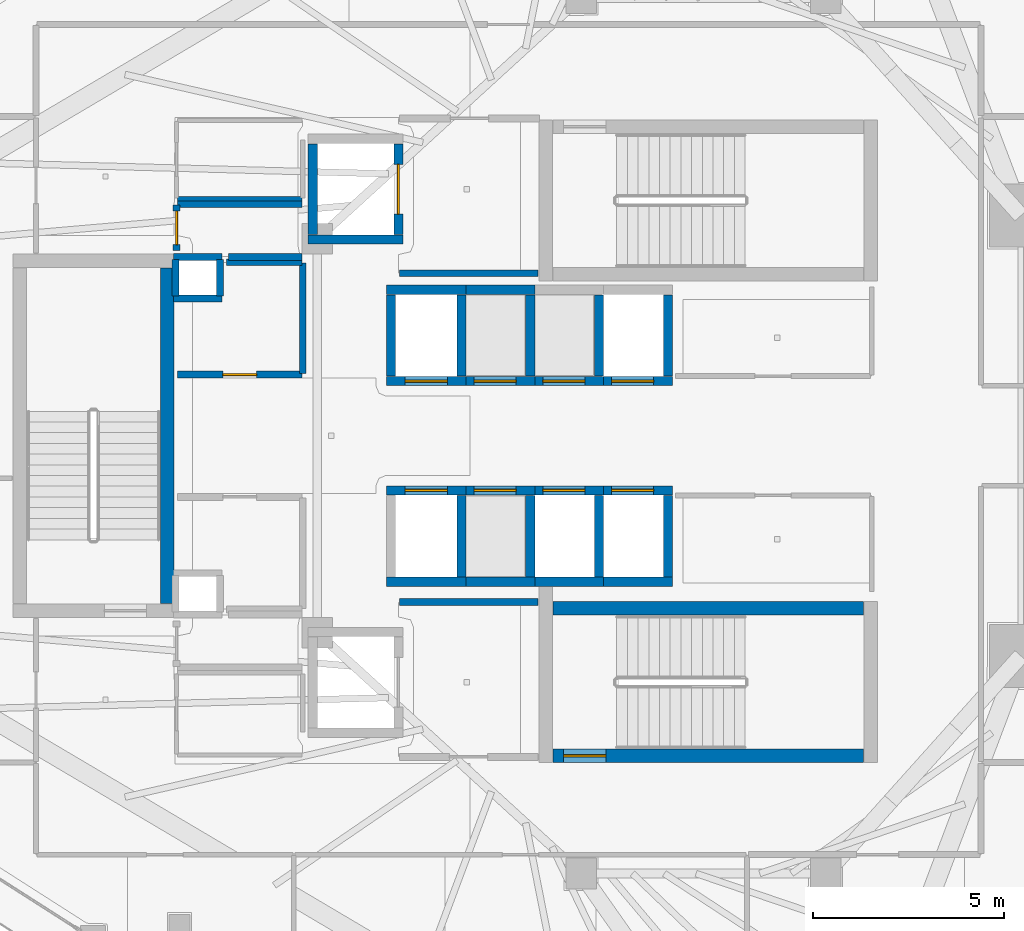
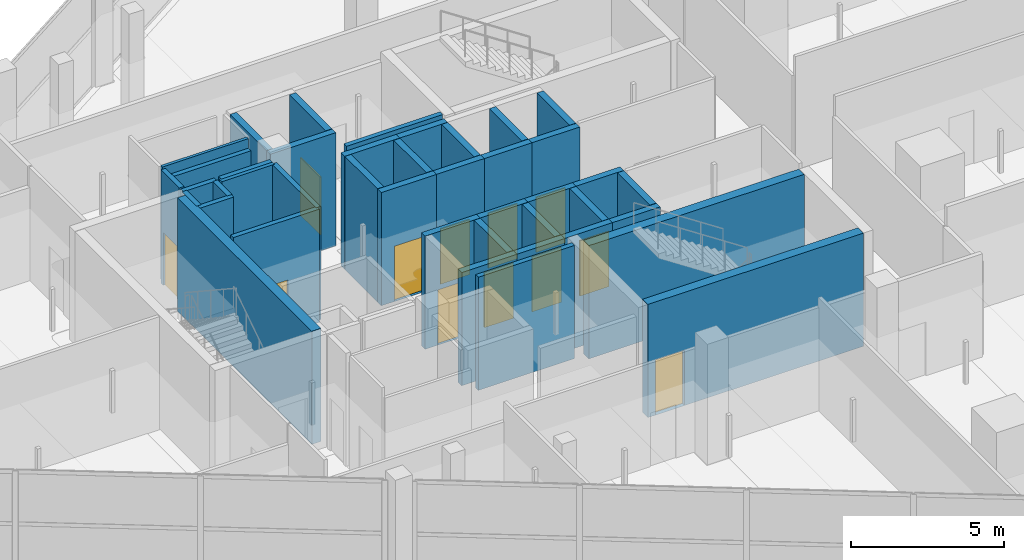
# One storey, part 26 of 36: 42 walls, 12 doors, 12 openings.
"""IFC4 building model written with IfcOpenShell, lengths in metres."""

from ifc_helpers import new_model, si_unit, direction, frame, frame_2d, origin, place, context, subcontext, project, spatial, rectangle, extrude, material, layer, layer_set, type_object, element, fill, save


model = new_model("IFC4")

# Units and contexts
model_context = context("Model", 3, precision=1e-05, world=origin(), true_north=direction((0.0, 1.0)))
body_context = subcontext(model_context, "Body", "Model", "MODEL_VIEW")
ifc_project = project(units=[si_unit("LENGTHUNIT", "METRE"), si_unit("AREAUNIT", "SQUARE_METRE"), si_unit("VOLUMEUNIT", "CUBIC_METRE"), si_unit("PLANEANGLEUNIT", "RADIAN"), si_unit("MASSUNIT", "GRAM", prefix="KILO")], contexts=[model_context])

# Site, building, storey
site_placement = place(None, origin())
site = spatial("IfcSite", under=ifc_project, at=site_placement, CompositionType="ELEMENT")
building_placement = place(site_placement, origin())
building = spatial("IfcBuilding", under=site, at=building_placement, Name="Qorvath Tower", CompositionType="ELEMENT")
storey_placement = place(building_placement, frame((0.0, 0.0, 255.0)))
storey = spatial("IfcBuildingStorey", under=building, at=storey_placement, Name="L59", CompositionType="ELEMENT", Elevation=255.0)

# Walls
ifc_material_1 = material(Name="Gypsum shaftliner on steel studs", Category="steel")
ifc_layer_1 = layer(ifc_material_1, 0.179931640625)
ifc_layer_set_1 = layer_set([ifc_layer_1], Name="FW-LOBBY")
wall_type_1 = type_object("IfcWallType", Name="FW-LOBBY", PredefinedType="PARTITIONING", material=ifc_layer_set_1)
for number, where, z_axis, x_axis, name in (
    (1, (-32.989990234375, 3.594970703125, 0.0), (0.0, 0.0, 1.0), (-1.0, 0.0, 0.0), "MEP Riser Shaft Enclosure Wall N-L59-S"),
    (2, (-34.260009765625, 4.675048828125, 0.0), (0.0, 0.0, 1.0), (1.0, 0.0, 0.0), "MEP Riser Shaft Enclosure Wall N-L59-N"),
):
    element("IfcWall", number, at=place(storey_placement, frame(where, z_axis=z_axis, x_axis=x_axis)), inside=storey, type_object=wall_type_1, Name=name, PredefinedType="PARTITIONING", context=body_context, shape_type="SweptSolid", body=[
        extrude(rectangle(XDim=1.27001953125, YDim=0.179931640625, at=frame_2d((0.635009765625, 0.0))), origin(), (0.0, 0.0, 1.0), 4.510009765625),
    ])
for number, where, z_axis, x_axis, name in (
    (3, (-34.205078125, 3.659912109375, 0.0), (0.0, 0.0, 1.0), (0.0, 1.0, 0.0), "MEP Riser Shaft Enclosure Wall N-L59-W"),
    (4, (-33.044921875, 4.610107421875, 0.0), (0.0, 0.0, 1.0), (0.0, -1.0, 0.0), "MEP Riser Shaft Enclosure Wall N-L59-E"),
):
    element("IfcWall", number, at=place(storey_placement, frame(where, z_axis=z_axis, x_axis=x_axis)), inside=storey, type_object=wall_type_1, Name=name, PredefinedType="PARTITIONING", context=body_context, shape_type="SweptSolid", body=[
        extrude(rectangle(XDim=0.9501953125, YDim=0.179931640625, at=frame_2d((0.47509765625, 0.0))), origin(), (0.0, 0.0, 1.0), 4.510009765625),
    ])
for number, where, z_axis, x_axis, name in (
    (5, (-28.35498046875, 4.25, 0.0), (0.0, 0.0, 1.0), (1.0, 0.0, 0.0), "Interior Partition IW-T1-L59-001"),
    (6, (-24.73291015625, -4.35009765625, 0.0), (0.0, 0.0, 1.0), (-1.0, 0.0, 0.0), "Interior Partition IW-T1-L59-004"),
):
    element("IfcWall", number, at=place(storey_placement, frame(where, z_axis=z_axis, x_axis=x_axis)), inside=storey, type_object=wall_type_1, Name=name, PredefinedType="PARTITIONING", context=body_context, shape_type="SweptSolid", body=[
        extrude(rectangle(XDim=3.6220703125, YDim=0.179931640625, at=frame_2d((1.81103515625, 0.0))), origin(), (0.0, 0.0, 1.0), 4.510009765625),
    ])
wall_1_placement = place(storey_placement, frame((-32.8251953125, 4.679931640625, 0.0), z_axis=(0.0, 0.0, 1.0), x_axis=(1.0, 0.0, 0.0)))
element("IfcWall", 7, at=wall_1_placement, inside=storey, type_object=wall_type_1, Name="Interior Partition IW-T1-L59-017", PredefinedType="PARTITIONING", context=body_context, shape_type="SweptSolid", body=[
    extrude(rectangle(XDim=1.92041015625, YDim=0.179931640625, at=frame_2d((0.960205078125, 0.0))), origin(), (0.0, 0.0, 1.0), 4.510009765625),
])
wall_2_placement = place(storey_placement, frame((-30.90478515625, 6.06005859375, 0.0), z_axis=(0.0, 0.0, 1.0), x_axis=(-1.0, 0.0, 0.0)))
element("IfcWall", 8, at=wall_2_placement, inside=storey, type_object=wall_type_1, Name="Interior Partition IW-T1-L59-018", PredefinedType="PARTITIONING", context=body_context, shape_type="SweptSolid", body=[
    extrude(rectangle(XDim=3.25, YDim=0.179931640625, at=frame_2d((1.625, 0.0))), origin(), (0.0, 0.0, 1.0), 4.12890625),
])

# Wall, opening, door
wall_3_placement = place(storey_placement, frame((-34.179931640625, 6.03515625, 0.0), z_axis=(0.0, 0.0, 1.0), x_axis=(0.0, -1.0, 0.0)))
wall_3 = element("IfcWall", 9, at=wall_3_placement, inside=storey, type_object=wall_type_1, Name="Interior Partition IW-T1-L59-019", PredefinedType="PARTITIONING", context=body_context, shape_type="SweptSolid", body=[
    extrude(rectangle(XDim=1.195068359375, YDim=0.179931640625, at=frame_2d((0.59765625, 0.0))), origin(), (0.0, 0.0, 1.0), 4.510009765625),
])
opening_1_placement = place(wall_3_placement, frame((0.157470703125, 0.0, 0.0)))
opening_1 = element("IfcOpeningElement", 10, at=opening_1_placement, cuts=wall_3, Name="Opening D-T1-L59-15", PredefinedType="OPENING", context=body_context, shape_type="SweptSolid", body=[
    extrude(rectangle(XDim=0.8798828125, YDim=2.10009765625, at=frame_2d((0.43994140625, 1.050048828125))), frame((0.0, 0.10009765625, 0.0), z_axis=(0.0, -1.0, 0.0), x_axis=(1.0, 0.0, 0.0)), (0.0, 0.0, 1.0), 0.199951171875),
])
ifc_material_2 = material(Name="Painted galvanised hollow metal", Category="steel")
door_type_1 = type_object("IfcDoorType", Name="FD-60N", OperationType="NOTDEFINED", PredefinedType="DOOR", material=ifc_material_2)
door_1_placement = place(opening_1_placement, origin())
door_1 = element("IfcDoor", 11, at=door_1_placement, inside=storey, type_object=door_type_1, Name="Core linen store L59 Door D-T1-L59-15", OperationType="SINGLE_SWING_LEFT", OverallHeight=2.10009765625, OverallWidth=0.8798828125, PredefinedType="DOOR", context=body_context, shape_type="SweptSolid", body=[
    extrude(rectangle(XDim=0.8798828125, YDim=2.10009765625, at=frame_2d((0.43994140625, 1.050048828125))), frame((0.0, 0.02490234375, 0.0), z_axis=(0.0, -1.0, 0.0), x_axis=(1.0, 0.0, 0.0)), (0.0, 0.0, 1.0), 0.050048828125),
])
fill(opening_1, door_1)

wall_4_placement = place(storey_placement, frame((-34.15478515625, 1.60009765625, 0.0), z_axis=(0.0, 0.0, 1.0), x_axis=(1.0, 0.0, 0.0)))
wall_4 = element("IfcWall", 12, at=wall_4_placement, inside=storey, type_object=wall_type_1, Name="Interior Partition IW-T1-L59-020", PredefinedType="PARTITIONING", context=body_context, shape_type="SweptSolid", body=[
    extrude(rectangle(XDim=3.25, YDim=0.179931640625, at=frame_2d((1.625, 0.0))), origin(), (0.0, 0.0, 1.0), 4.510009765625),
])
opening_2_placement = place(wall_4_placement, frame((1.18505859375, 0.0, 0.0)))
opening_2 = element("IfcOpeningElement", 13, at=opening_2_placement, cuts=wall_4, Name="Opening D-T1-L59-05", PredefinedType="OPENING", context=body_context, shape_type="SweptSolid", body=[
    extrude(rectangle(XDim=0.8798828125, YDim=2.10009765625, at=frame_2d((0.43994140625, 1.050048828125))), frame((0.0, 0.10009765625, 0.0), z_axis=(0.0, -1.0, 0.0), x_axis=(1.0, 0.0, 0.0)), (0.0, 0.0, 1.0), 0.199951171875),
])
door_2_placement = place(opening_2_placement, origin())
door_2 = element("IfcDoor", 14, at=door_2_placement, inside=storey, type_object=door_type_1, Name="Core telecom and comms room L59 Door D-T1-L59-05", OperationType="SINGLE_SWING_LEFT", OverallHeight=2.10009765625, OverallWidth=0.8798828125, PredefinedType="DOOR", context=body_context, shape_type="SweptSolid", body=[
    extrude(rectangle(XDim=0.8798828125, YDim=2.10009765625, at=frame_2d((0.43994140625, 1.050048828125))), frame((0.0, 0.02490234375, 0.0), z_axis=(0.0, -1.0, 0.0), x_axis=(1.0, 0.0, 0.0)), (0.0, 0.0, 1.0), 0.050048828125),
])
fill(opening_2, door_2)

# Walls
wall_5_placement = place(storey_placement, frame((-30.8798828125, 1.625, 0.0), z_axis=(0.0, 0.0, 1.0), x_axis=(0.0, 1.0, 0.0)))
element("IfcWall", 15, at=wall_5_placement, inside=storey, type_object=wall_type_1, Name="Interior Partition IW-T1-L59-021", PredefinedType="PARTITIONING", context=body_context, shape_type="SweptSolid", body=[
    extrude(rectangle(XDim=2.889892578125, YDim=0.179931640625, at=frame_2d((1.44482421875, 0.0))), origin(), (0.0, 0.0, 1.0), 4.510009765625),
])
wall_6_placement = place(storey_placement, frame((-30.90478515625, 4.5400390625, 0.0), z_axis=(0.0, 0.0, 1.0), x_axis=(-1.0, 0.0, 0.0)))
element("IfcWall", 16, at=wall_6_placement, inside=storey, type_object=wall_type_1, Name="Interior Partition IW-T1-L59-022", PredefinedType="PARTITIONING", context=body_context, shape_type="SweptSolid", body=[
    extrude(rectangle(XDim=1.97509765625, YDim=0.179931640625, at=frame_2d((0.987548828125, 0.0))), origin(), (0.0, 0.0, 1.0), 4.510009765625),
])
ifc_material_3 = material(Name="Moisture-resistant cement board on metal studs", Category="gypsum")
ifc_layer_2 = layer(ifc_material_3, 0.110107421875)
ifc_layer_set_2 = layer_set([ifc_layer_2], Name="IW-WC-110")
wall_type_2 = type_object("IfcWallType", Name="IW-WC-110", PredefinedType="PARTITIONING", material=ifc_layer_set_2)
wall_7_placement = place(storey_placement, frame((-34.15478515625, 6.199951171875, 0.0), z_axis=(0.0, 0.0, 1.0), x_axis=(1.0, 0.0, 0.0)))
element("IfcWall", 17, at=wall_7_placement, inside=storey, type_object=wall_type_2, Name="Interior Partition IW-T1-L59-006", PredefinedType="PARTITIONING", context=body_context, shape_type="SweptSolid", body=[
    extrude(rectangle(XDim=3.25, YDim=0.110107421875, at=frame_2d((1.625, 0.0))), origin(), (0.0, 0.0, 1.0), 4.510009765625),
])
ifc_material_4 = material(Name="Concrete C60/75", Category="concrete")
ifc_layer_3 = layer(ifc_material_4, 0.260009765625)
ifc_layer_set_3 = layer_set([ifc_layer_3], Name="SW-SHAFT")
wall_type_3 = type_object("IfcWallType", Name="SW-SHAFT", PredefinedType="SHEAR", material=ifc_layer_set_3)
wall_8_placement = place(storey_placement, frame((-28.260009765625, 5.1298828125, 0.0), z_axis=(0.0, 0.0, 1.0), x_axis=(-1.0, 0.0, 0.0)))
element("IfcWall", 18, at=wall_8_placement, inside=storey, type_object=wall_type_3, Name="Hoistway Wall FSAE-1 L59 S", PredefinedType="SHEAR", context=body_context, shape_type="SweptSolid", body=[
    extrude(rectangle(XDim=2.47998046875, YDim=0.239990234375, at=frame_2d((1.239990234375, 0.0))), origin(), (0.0, 0.0, 1.0), 4.510009765625),
])
wall_9_placement = place(storey_placement, frame((-30.6201171875, 5.261962890625, 0.0), z_axis=(0.0, 0.0, 1.0), x_axis=(0.0, 1.0, 0.0)))
element("IfcWall", 19, at=wall_9_placement, inside=storey, type_object=wall_type_3, Name="Hoistway Wall FSAE-1 L59 W", PredefinedType="SHEAR", context=body_context, shape_type="SweptSolid", body=[
    extrude(rectangle(XDim=2.3759765625, YDim=0.239990234375, at=frame_2d((1.18798828125, 0.0))), origin(), (0.0, 0.0, 1.0), 4.510009765625),
])

# Wall, opening, door
wall_10_placement = place(storey_placement, frame((-28.3798828125, 7.637939453125, 0.0), z_axis=(0.0, 0.0, 1.0), x_axis=(0.0, -1.0, 0.0)))
wall_10 = element("IfcWall", 20, at=wall_10_placement, inside=storey, type_object=wall_type_3, Name="Hoistway Wall FSAE-1 L59 E", PredefinedType="SHEAR", context=body_context, shape_type="SweptSolid", body=[
    extrude(rectangle(XDim=2.3759765625, YDim=0.239990234375, at=frame_2d((1.18798828125, 0.0))), origin(), (0.0, 0.0, 1.0), 4.510009765625),
])
opening_3_placement = place(wall_10_placement, frame((0.537841796875, 0.0, 0.0)))
opening_3 = element("IfcOpeningElement", 21, at=opening_3_placement, cuts=wall_10, Name="Opening LD-FSAE-1-L59", PredefinedType="OPENING", context=body_context, shape_type="SweptSolid", body=[
    extrude(rectangle(XDim=1.300048828125, YDim=2.300048828125, at=frame_2d((0.64990234375, 1.14990234375))), frame((0.0, 0.1298828125, 0.0), z_axis=(0.0, -1.0, 0.0), x_axis=(1.0, 0.0, 0.0)), (0.0, 0.0, 1.0), 0.260009765625),
])
ifc_material_5 = material(Name="Brushed stainless steel AISI 316", Category="steel")
door_type_2 = type_object("IfcDoorType", Name="LD-02", OperationType="NOTDEFINED", PredefinedType="DOOR", material=ifc_material_5)
door_3_placement = place(opening_3_placement, origin())
door_3 = element("IfcDoor", 22, at=door_3_placement, inside=storey, type_object=door_type_2, Name="Elevator Landing Sliding Door LD-FSAE-1-L59", OperationType="DOUBLE_DOOR_SLIDING", OverallHeight=2.300048828125, OverallWidth=1.300048828125, PredefinedType="DOOR", context=body_context, shape_type="SweptSolid", body=[
    extrude(rectangle(XDim=1.300048828125, YDim=2.300048828125, at=frame_2d((0.64990234375, 1.14990234375))), frame((0.0, 0.02490234375, 0.0), z_axis=(0.0, -1.0, 0.0), x_axis=(1.0, 0.0, 0.0)), (0.0, 0.0, 1.0), 0.050048828125),
])
fill(opening_3, door_3)

wall_11_placement = place(storey_placement, frame((-26.610107421875, 1.429931640625, 0.0), z_axis=(0.0, 0.0, 1.0), x_axis=(-1.0, 0.0, 0.0)))
wall_11 = element("IfcWall", 23, at=wall_11_placement, inside=storey, type_object=wall_type_3, Name="Hoistway Wall PS-1 L59 S", PredefinedType="SHEAR", context=body_context, shape_type="SweptSolid", body=[
    extrude(rectangle(XDim=2.079833984375, YDim=0.239990234375, at=frame_2d((1.0400390625, 0.0))), origin(), (0.0, 0.0, 1.0), 4.510009765625),
])
opening_4_placement = place(wall_11_placement, frame((0.48974609375, 0.0, 0.0)))
opening_4 = element("IfcOpeningElement", 24, at=opening_4_placement, cuts=wall_11, Name="Opening LD-PS-1-L59", PredefinedType="OPENING", context=body_context, shape_type="SweptSolid", body=[
    extrude(rectangle(XDim=1.10009765625, YDim=2.199951171875, at=frame_2d((0.550048828125, 1.10009765625))), frame((0.0, 0.1298828125, 0.0), z_axis=(0.0, -1.0, 0.0), x_axis=(1.0, 0.0, 0.0)), (0.0, 0.0, 1.0), 0.260009765625),
])
ifc_material_6 = material(Name="Brushed stainless steel AISI 316", Category="steel")
door_type_3 = type_object("IfcDoorType", Name="LD-01", OperationType="NOTDEFINED", PredefinedType="DOOR", material=ifc_material_6)
door_4_placement = place(opening_4_placement, origin())
door_4 = element("IfcDoor", 25, at=door_4_placement, inside=storey, type_object=door_type_3, Name="Elevator Landing Sliding Door LD-PS-1-L59", OperationType="DOUBLE_DOOR_SLIDING", OverallHeight=2.199951171875, OverallWidth=1.10009765625, PredefinedType="DOOR", context=body_context, shape_type="SweptSolid", body=[
    extrude(rectangle(XDim=1.10009765625, YDim=2.199951171875, at=frame_2d((0.550048828125, 1.10009765625))), frame((0.0, 0.02490234375, 0.0), z_axis=(0.0, -1.0, 0.0), x_axis=(1.0, 0.0, 0.0)), (0.0, 0.0, 1.0), 0.050048828125),
])
fill(opening_4, door_4)

# Walls
wall_12_placement = place(storey_placement, frame((-28.68994140625, 3.820068359375, 0.0), z_axis=(0.0, 0.0, 1.0), x_axis=(1.0, 0.0, 0.0)))
element("IfcWall", 26, at=wall_12_placement, inside=storey, type_object=wall_type_3, Name="Hoistway Wall PS-1 L59 N", PredefinedType="SHEAR", context=body_context, shape_type="SweptSolid", body=[
    extrude(rectangle(XDim=2.079833984375, YDim=0.239990234375, at=frame_2d((1.0400390625, 0.0))), origin(), (0.0, 0.0, 1.0), 4.510009765625),
])
for number, where, z_axis, x_axis, name in (
    (27, (-28.570068359375, 1.56201171875, 0.0), (0.0, 0.0, 1.0), (0.0, 1.0, 0.0), "Hoistway Wall PS-1 L59 W"),
    (28, (-26.72998046875, 3.68798828125, 0.0), (0.0, 0.0, 1.0), (0.0, -1.0, 0.0), "Hoistway Wall PS-1 L59 E"),
):
    element("IfcWall", number, at=place(storey_placement, frame(where, z_axis=z_axis, x_axis=x_axis)), inside=storey, type_object=wall_type_3, Name=name, PredefinedType="SHEAR", context=body_context, shape_type="SweptSolid", body=[
        extrude(rectangle(XDim=2.1259765625, YDim=0.239990234375, at=frame_2d((1.06298828125, 0.0))), origin(), (0.0, 0.0, 1.0), 4.510009765625),
    ])

# Wall, opening, door
wall_13_placement = place(storey_placement, frame((-24.81005859375, 1.429931640625, 0.0), z_axis=(0.0, 0.0, 1.0), x_axis=(-1.0, 0.0, 0.0)))
wall_13 = element("IfcWall", 29, at=wall_13_placement, inside=storey, type_object=wall_type_3, Name="Hoistway Wall PH-1 L59 S", PredefinedType="SHEAR", context=body_context, shape_type="SweptSolid", body=[
    extrude(rectangle(XDim=1.800048828125, YDim=0.239990234375, at=frame_2d((0.89990234375, 0.0))), origin(), (0.0, 0.0, 1.0), 4.510009765625),
])
opening_5_placement = place(wall_13_placement, frame((0.489990234375, 0.0, 0.0)))
opening_5 = element("IfcOpeningElement", 30, at=opening_5_placement, cuts=wall_13, Name="Opening LD-PH-1-L59", PredefinedType="OPENING", context=body_context, shape_type="SweptSolid", body=[
    extrude(rectangle(XDim=1.10009765625, YDim=2.199951171875, at=frame_2d((0.550048828125, 1.10009765625))), frame((0.0, 0.1298828125, 0.0), z_axis=(0.0, -1.0, 0.0), x_axis=(1.0, 0.0, 0.0)), (0.0, 0.0, 1.0), 0.260009765625),
])
door_5_placement = place(opening_5_placement, origin())
door_5 = element("IfcDoor", 31, at=door_5_placement, inside=storey, type_object=door_type_3, Name="Elevator Landing Sliding Door LD-PH-1-L59", OperationType="DOUBLE_DOOR_SLIDING", OverallHeight=2.199951171875, OverallWidth=1.10009765625, PredefinedType="DOOR", context=body_context, shape_type="SweptSolid", body=[
    extrude(rectangle(XDim=1.10009765625, YDim=2.199951171875, at=frame_2d((0.550048828125, 1.10009765625))), frame((0.0, 0.02490234375, 0.0), z_axis=(0.0, -1.0, 0.0), x_axis=(1.0, 0.0, 0.0)), (0.0, 0.0, 1.0), 0.050048828125),
])
fill(opening_5, door_5)

# Walls
wall_14_placement = place(storey_placement, frame((-26.610107421875, 3.820068359375, 0.0), z_axis=(0.0, 0.0, 1.0), x_axis=(1.0, 0.0, 0.0)))
element("IfcWall", 32, at=wall_14_placement, inside=storey, type_object=wall_type_3, Name="Hoistway Wall PH-1 L59 N", PredefinedType="SHEAR", context=body_context, shape_type="SweptSolid", body=[
    extrude(rectangle(XDim=1.800048828125, YDim=0.239990234375, at=frame_2d((0.89990234375, 0.0))), origin(), (0.0, 0.0, 1.0), 4.510009765625),
])
wall_15_placement = place(storey_placement, frame((-24.929931640625, 3.68798828125, 0.0), z_axis=(0.0, 0.0, 1.0), x_axis=(0.0, -1.0, 0.0)))
element("IfcWall", 33, at=wall_15_placement, inside=storey, type_object=wall_type_3, Name="Hoistway Wall PH-1 L59 E", PredefinedType="SHEAR", context=body_context, shape_type="SweptSolid", body=[
    extrude(rectangle(XDim=2.1259765625, YDim=0.239990234375, at=frame_2d((1.06298828125, 0.0))), origin(), (0.0, 0.0, 1.0), 4.510009765625),
])

# Wall, opening, door
wall_16_placement = place(storey_placement, frame((-23.010009765625, 1.429931640625, 0.0), z_axis=(0.0, 0.0, 1.0), x_axis=(-1.0, 0.0, 0.0)))
wall_16 = element("IfcWall", 34, at=wall_16_placement, inside=storey, type_object=wall_type_3, Name="Hoistway Wall PH-2 L59 S", PredefinedType="SHEAR", context=body_context, shape_type="SweptSolid", body=[
    extrude(rectangle(XDim=1.800048828125, YDim=0.239990234375, at=frame_2d((0.89990234375, 0.0))), origin(), (0.0, 0.0, 1.0), 4.510009765625),
])
opening_6_placement = place(wall_16_placement, frame((0.489990234375, 0.0, 0.0)))
opening_6 = element("IfcOpeningElement", 35, at=opening_6_placement, cuts=wall_16, Name="Opening LD-PH-2-L59", PredefinedType="OPENING", context=body_context, shape_type="SweptSolid", body=[
    extrude(rectangle(XDim=1.10009765625, YDim=2.199951171875, at=frame_2d((0.550048828125, 1.10009765625))), frame((0.0, 0.1298828125, 0.0), z_axis=(0.0, -1.0, 0.0), x_axis=(1.0, 0.0, 0.0)), (0.0, 0.0, 1.0), 0.260009765625),
])
door_6_placement = place(opening_6_placement, origin())
door_6 = element("IfcDoor", 36, at=door_6_placement, inside=storey, type_object=door_type_3, Name="Elevator Landing Sliding Door LD-PH-2-L59", OperationType="DOUBLE_DOOR_SLIDING", OverallHeight=2.199951171875, OverallWidth=1.10009765625, PredefinedType="DOOR", context=body_context, shape_type="SweptSolid", body=[
    extrude(rectangle(XDim=1.10009765625, YDim=2.199951171875, at=frame_2d((0.550048828125, 1.10009765625))), frame((0.0, 0.02490234375, 0.0), z_axis=(0.0, -1.0, 0.0), x_axis=(1.0, 0.0, 0.0)), (0.0, 0.0, 1.0), 0.050048828125),
])
fill(opening_6, door_6)

# Wall
wall_17_placement = place(storey_placement, frame((-23.1298828125, 3.68798828125, 0.0), z_axis=(0.0, 0.0, 1.0), x_axis=(0.0, -1.0, 0.0)))
element("IfcWall", 37, at=wall_17_placement, inside=storey, type_object=wall_type_3, Name="Hoistway Wall PH-2 L59 E", PredefinedType="SHEAR", context=body_context, shape_type="SweptSolid", body=[
    extrude(rectangle(XDim=2.1259765625, YDim=0.239990234375, at=frame_2d((1.06298828125, 0.0))), origin(), (0.0, 0.0, 1.0), 4.510009765625),
])

# Wall, opening, door
wall_18_placement = place(storey_placement, frame((-21.2099609375, 1.429931640625, 0.0), z_axis=(0.0, 0.0, 1.0), x_axis=(-1.0, 0.0, 0.0)))
wall_18 = element("IfcWall", 38, at=wall_18_placement, inside=storey, type_object=wall_type_3, Name="Hoistway Wall PU-1 L59 S", PredefinedType="SHEAR", context=body_context, shape_type="SweptSolid", body=[
    extrude(rectangle(XDim=1.800048828125, YDim=0.239990234375, at=frame_2d((0.89990234375, 0.0))), origin(), (0.0, 0.0, 1.0), 4.510009765625),
])
opening_7_placement = place(wall_18_placement, frame((0.489990234375, 0.0, 0.0)))
opening_7 = element("IfcOpeningElement", 39, at=opening_7_placement, cuts=wall_18, Name="Opening LD-PU-1-L59", PredefinedType="OPENING", context=body_context, shape_type="SweptSolid", body=[
    extrude(rectangle(XDim=1.10009765625, YDim=2.199951171875, at=frame_2d((0.550048828125, 1.10009765625))), frame((0.0, 0.1298828125, 0.0), z_axis=(0.0, -1.0, 0.0), x_axis=(1.0, 0.0, 0.0)), (0.0, 0.0, 1.0), 0.260009765625),
])
door_7_placement = place(opening_7_placement, origin())
door_7 = element("IfcDoor", 40, at=door_7_placement, inside=storey, type_object=door_type_3, Name="Elevator Landing Sliding Door LD-PU-1-L59", OperationType="DOUBLE_DOOR_SLIDING", OverallHeight=2.199951171875, OverallWidth=1.10009765625, PredefinedType="DOOR", context=body_context, shape_type="SweptSolid", body=[
    extrude(rectangle(XDim=1.10009765625, YDim=2.199951171875, at=frame_2d((0.550048828125, 1.10009765625))), frame((0.0, 0.02490234375, 0.0), z_axis=(0.0, -1.0, 0.0), x_axis=(1.0, 0.0, 0.0)), (0.0, 0.0, 1.0), 0.050048828125),
])
fill(opening_7, door_7)

# Walls
wall_19_placement = place(storey_placement, frame((-21.330078125, 3.68798828125, 0.0), z_axis=(0.0, 0.0, 1.0), x_axis=(0.0, -1.0, 0.0)))
element("IfcWall", 41, at=wall_19_placement, inside=storey, type_object=wall_type_3, Name="Hoistway Wall PU-1 L59 E", PredefinedType="SHEAR", context=body_context, shape_type="SweptSolid", body=[
    extrude(rectangle(XDim=2.1259765625, YDim=0.239990234375, at=frame_2d((1.06298828125, 0.0))), origin(), (0.0, 0.0, 1.0), 4.510009765625),
])
wall_20_placement = place(storey_placement, frame((-26.610107421875, -3.820068359375, 0.0), z_axis=(0.0, 0.0, 1.0), x_axis=(-1.0, 0.0, 0.0)))
element("IfcWall", 42, at=wall_20_placement, inside=storey, type_object=wall_type_3, Name="Hoistway Wall PS-2 L59 S", PredefinedType="SHEAR", context=body_context, shape_type="SweptSolid", body=[
    extrude(rectangle(XDim=2.079833984375, YDim=0.239990234375, at=frame_2d((1.0400390625, 0.0))), origin(), (0.0, 0.0, 1.0), 4.510009765625),
])

# Wall, opening, door
wall_21_placement = place(storey_placement, frame((-28.68994140625, -1.429931640625, 0.0), z_axis=(0.0, 0.0, 1.0), x_axis=(1.0, 0.0, 0.0)))
wall_21 = element("IfcWall", 43, at=wall_21_placement, inside=storey, type_object=wall_type_3, Name="Hoistway Wall PS-2 L59 N", PredefinedType="SHEAR", context=body_context, shape_type="SweptSolid", body=[
    extrude(rectangle(XDim=2.079833984375, YDim=0.239990234375, at=frame_2d((1.0400390625, 0.0))), origin(), (0.0, 0.0, 1.0), 4.510009765625),
])
opening_8_placement = place(wall_21_placement, frame((0.489990234375, 0.0, 0.0)))
opening_8 = element("IfcOpeningElement", 44, at=opening_8_placement, cuts=wall_21, Name="Opening LD-PS-2-L59", PredefinedType="OPENING", context=body_context, shape_type="SweptSolid", body=[
    extrude(rectangle(XDim=1.10009765625, YDim=2.199951171875, at=frame_2d((0.550048828125, 1.10009765625))), frame((0.0, 0.1298828125, 0.0), z_axis=(0.0, -1.0, 0.0), x_axis=(1.0, 0.0, 0.0)), (0.0, 0.0, 1.0), 0.260009765625),
])
door_8_placement = place(opening_8_placement, origin())
door_8 = element("IfcDoor", 45, at=door_8_placement, inside=storey, type_object=door_type_3, Name="Elevator Landing Sliding Door LD-PS-2-L59", OperationType="DOUBLE_DOOR_SLIDING", OverallHeight=2.199951171875, OverallWidth=1.10009765625, PredefinedType="DOOR", context=body_context, shape_type="SweptSolid", body=[
    extrude(rectangle(XDim=1.10009765625, YDim=2.199951171875, at=frame_2d((0.550048828125, 1.10009765625))), frame((0.0, 0.02490234375, 0.0), z_axis=(0.0, -1.0, 0.0), x_axis=(1.0, 0.0, 0.0)), (0.0, 0.0, 1.0), 0.050048828125),
])
fill(opening_8, door_8)

# Walls
wall_22_placement = place(storey_placement, frame((-26.72998046875, -1.56201171875, 0.0), z_axis=(0.0, 0.0, 1.0), x_axis=(0.0, -1.0, 0.0)))
element("IfcWall", 46, at=wall_22_placement, inside=storey, type_object=wall_type_3, Name="Hoistway Wall PS-2 L59 E", PredefinedType="SHEAR", context=body_context, shape_type="SweptSolid", body=[
    extrude(rectangle(XDim=2.1259765625, YDim=0.239990234375, at=frame_2d((1.06298828125, 0.0))), origin(), (0.0, 0.0, 1.0), 4.510009765625),
])
wall_23_placement = place(storey_placement, frame((-24.81005859375, -3.820068359375, 0.0), z_axis=(0.0, 0.0, 1.0), x_axis=(-1.0, 0.0, 0.0)))
element("IfcWall", 47, at=wall_23_placement, inside=storey, type_object=wall_type_3, Name="Hoistway Wall PH-3 L59 S", PredefinedType="SHEAR", context=body_context, shape_type="SweptSolid", body=[
    extrude(rectangle(XDim=1.800048828125, YDim=0.239990234375, at=frame_2d((0.89990234375, 0.0))), origin(), (0.0, 0.0, 1.0), 4.510009765625),
])

# Wall, opening, door
wall_24_placement = place(storey_placement, frame((-26.610107421875, -1.429931640625, 0.0), z_axis=(0.0, 0.0, 1.0), x_axis=(1.0, 0.0, 0.0)))
wall_24 = element("IfcWall", 48, at=wall_24_placement, inside=storey, type_object=wall_type_3, Name="Hoistway Wall PH-3 L59 N", PredefinedType="SHEAR", context=body_context, shape_type="SweptSolid", body=[
    extrude(rectangle(XDim=1.800048828125, YDim=0.239990234375, at=frame_2d((0.89990234375, 0.0))), origin(), (0.0, 0.0, 1.0), 4.510009765625),
])
opening_9_placement = place(wall_24_placement, frame((0.2099609375, 0.0, 0.0)))
opening_9 = element("IfcOpeningElement", 49, at=opening_9_placement, cuts=wall_24, Name="Opening LD-PH-3-L59", PredefinedType="OPENING", context=body_context, shape_type="SweptSolid", body=[
    extrude(rectangle(XDim=1.10009765625, YDim=2.199951171875, at=frame_2d((0.550048828125, 1.10009765625))), frame((0.0, 0.1298828125, 0.0), z_axis=(0.0, -1.0, 0.0), x_axis=(1.0, 0.0, 0.0)), (0.0, 0.0, 1.0), 0.260009765625),
])
door_9_placement = place(opening_9_placement, origin())
door_9 = element("IfcDoor", 50, at=door_9_placement, inside=storey, type_object=door_type_3, Name="Elevator Landing Sliding Door LD-PH-3-L59", OperationType="DOUBLE_DOOR_SLIDING", OverallHeight=2.199951171875, OverallWidth=1.10009765625, PredefinedType="DOOR", context=body_context, shape_type="SweptSolid", body=[
    extrude(rectangle(XDim=1.10009765625, YDim=2.199951171875, at=frame_2d((0.550048828125, 1.10009765625))), frame((0.0, 0.02490234375, 0.0), z_axis=(0.0, -1.0, 0.0), x_axis=(1.0, 0.0, 0.0)), (0.0, 0.0, 1.0), 0.050048828125),
])
fill(opening_9, door_9)

# Walls
wall_25_placement = place(storey_placement, frame((-24.929931640625, -1.56201171875, 0.0), z_axis=(0.0, 0.0, 1.0), x_axis=(0.0, -1.0, 0.0)))
element("IfcWall", 51, at=wall_25_placement, inside=storey, type_object=wall_type_3, Name="Hoistway Wall PH-3 L59 E", PredefinedType="SHEAR", context=body_context, shape_type="SweptSolid", body=[
    extrude(rectangle(XDim=2.1259765625, YDim=0.239990234375, at=frame_2d((1.06298828125, 0.0))), origin(), (0.0, 0.0, 1.0), 4.510009765625),
])
wall_26_placement = place(storey_placement, frame((-23.010009765625, -3.820068359375, 0.0), z_axis=(0.0, 0.0, 1.0), x_axis=(-1.0, 0.0, 0.0)))
element("IfcWall", 52, at=wall_26_placement, inside=storey, type_object=wall_type_3, Name="Hoistway Wall PU-2 L59 S", PredefinedType="SHEAR", context=body_context, shape_type="SweptSolid", body=[
    extrude(rectangle(XDim=1.800048828125, YDim=0.239990234375, at=frame_2d((0.89990234375, 0.0))), origin(), (0.0, 0.0, 1.0), 4.510009765625),
])

# Wall, opening, door
wall_27_placement = place(storey_placement, frame((-24.81005859375, -1.429931640625, 0.0), z_axis=(0.0, 0.0, 1.0), x_axis=(1.0, 0.0, 0.0)))
wall_27 = element("IfcWall", 53, at=wall_27_placement, inside=storey, type_object=wall_type_3, Name="Hoistway Wall PU-2 L59 N", PredefinedType="SHEAR", context=body_context, shape_type="SweptSolid", body=[
    extrude(rectangle(XDim=1.800048828125, YDim=0.239990234375, at=frame_2d((0.89990234375, 0.0))), origin(), (0.0, 0.0, 1.0), 4.510009765625),
])
opening_10_placement = place(wall_27_placement, frame((0.210205078125, 0.0, 0.0)))
opening_10 = element("IfcOpeningElement", 54, at=opening_10_placement, cuts=wall_27, Name="Opening LD-PU-2-L59", PredefinedType="OPENING", context=body_context, shape_type="SweptSolid", body=[
    extrude(rectangle(XDim=1.10009765625, YDim=2.199951171875, at=frame_2d((0.550048828125, 1.10009765625))), frame((0.0, 0.1298828125, 0.0), z_axis=(0.0, -1.0, 0.0), x_axis=(1.0, 0.0, 0.0)), (0.0, 0.0, 1.0), 0.260009765625),
])
door_10_placement = place(opening_10_placement, origin())
door_10 = element("IfcDoor", 55, at=door_10_placement, inside=storey, type_object=door_type_3, Name="Elevator Landing Sliding Door LD-PU-2-L59", OperationType="DOUBLE_DOOR_SLIDING", OverallHeight=2.199951171875, OverallWidth=1.10009765625, PredefinedType="DOOR", context=body_context, shape_type="SweptSolid", body=[
    extrude(rectangle(XDim=1.10009765625, YDim=2.199951171875, at=frame_2d((0.550048828125, 1.10009765625))), frame((0.0, 0.02490234375, 0.0), z_axis=(0.0, -1.0, 0.0), x_axis=(1.0, 0.0, 0.0)), (0.0, 0.0, 1.0), 0.050048828125),
])
fill(opening_10, door_10)

# Walls
wall_28_placement = place(storey_placement, frame((-23.1298828125, -1.56201171875, 0.0), z_axis=(0.0, 0.0, 1.0), x_axis=(0.0, -1.0, 0.0)))
element("IfcWall", 56, at=wall_28_placement, inside=storey, type_object=wall_type_3, Name="Hoistway Wall PU-2 L59 E", PredefinedType="SHEAR", context=body_context, shape_type="SweptSolid", body=[
    extrude(rectangle(XDim=2.1259765625, YDim=0.239990234375, at=frame_2d((1.06298828125, 0.0))), origin(), (0.0, 0.0, 1.0), 4.510009765625),
])
wall_29_placement = place(storey_placement, frame((-21.2099609375, -3.820068359375, 0.0), z_axis=(0.0, 0.0, 1.0), x_axis=(-1.0, 0.0, 0.0)))
element("IfcWall", 57, at=wall_29_placement, inside=storey, type_object=wall_type_3, Name="Hoistway Wall PU-3 L59 S", PredefinedType="SHEAR", context=body_context, shape_type="SweptSolid", body=[
    extrude(rectangle(XDim=1.800048828125, YDim=0.239990234375, at=frame_2d((0.89990234375, 0.0))), origin(), (0.0, 0.0, 1.0), 4.510009765625),
])

# Wall, opening, door
wall_30_placement = place(storey_placement, frame((-23.010009765625, -1.429931640625, 0.0), z_axis=(0.0, 0.0, 1.0), x_axis=(1.0, 0.0, 0.0)))
wall_30 = element("IfcWall", 58, at=wall_30_placement, inside=storey, type_object=wall_type_3, Name="Hoistway Wall PU-3 L59 N", PredefinedType="SHEAR", context=body_context, shape_type="SweptSolid", body=[
    extrude(rectangle(XDim=1.800048828125, YDim=0.239990234375, at=frame_2d((0.89990234375, 0.0))), origin(), (0.0, 0.0, 1.0), 4.510009765625),
])
opening_11_placement = place(wall_30_placement, frame((0.2099609375, 0.0, 0.0)))
opening_11 = element("IfcOpeningElement", 59, at=opening_11_placement, cuts=wall_30, Name="Opening LD-PU-3-L59", PredefinedType="OPENING", context=body_context, shape_type="SweptSolid", body=[
    extrude(rectangle(XDim=1.10009765625, YDim=2.199951171875, at=frame_2d((0.550048828125, 1.10009765625))), frame((0.0, 0.1298828125, 0.0), z_axis=(0.0, -1.0, 0.0), x_axis=(1.0, 0.0, 0.0)), (0.0, 0.0, 1.0), 0.260009765625),
])
door_11_placement = place(opening_11_placement, origin())
door_11 = element("IfcDoor", 60, at=door_11_placement, inside=storey, type_object=door_type_3, Name="Elevator Landing Sliding Door LD-PU-3-L59", OperationType="DOUBLE_DOOR_SLIDING", OverallHeight=2.199951171875, OverallWidth=1.10009765625, PredefinedType="DOOR", context=body_context, shape_type="SweptSolid", body=[
    extrude(rectangle(XDim=1.10009765625, YDim=2.199951171875, at=frame_2d((0.550048828125, 1.10009765625))), frame((0.0, 0.02490234375, 0.0), z_axis=(0.0, -1.0, 0.0), x_axis=(1.0, 0.0, 0.0)), (0.0, 0.0, 1.0), 0.050048828125),
])
fill(opening_11, door_11)

# Wall
wall_31_placement = place(storey_placement, frame((-21.330078125, -1.56201171875, 0.0), z_axis=(0.0, 0.0, 1.0), x_axis=(0.0, -1.0, 0.0)))
element("IfcWall", 61, at=wall_31_placement, inside=storey, type_object=wall_type_3, Name="Hoistway Wall PU-3 L59 E", PredefinedType="SHEAR", context=body_context, shape_type="SweptSolid", body=[
    extrude(rectangle(XDim=2.1259765625, YDim=0.239990234375, at=frame_2d((1.06298828125, 0.0))), origin(), (0.0, 0.0, 1.0), 4.510009765625),
])

# Wall, opening, door
ifc_material_7 = material(Name="Concrete C60/75", Category="concrete")
ifc_layer_4 = layer(ifc_material_7, 0.35009765625)
ifc_layer_set_4 = layer_set([ifc_layer_4], Name="SW-STAIR")
wall_type_4 = type_object("IfcWallType", Name="SW-STAIR", PredefinedType="SHEAR", material=ifc_layer_set_4)
wall_32_placement = place(storey_placement, frame((-24.3349609375, -8.375, 0.0), z_axis=(0.0, 0.0, 1.0), x_axis=(1.0, 0.0, 0.0)))
wall_32 = element("IfcWall", 62, at=wall_32_placement, inside=storey, type_object=wall_type_4, Name="Stair TS2 Shear Wall L59 LEFT", PredefinedType="SHEAR", context=body_context, shape_type="SweptSolid", body=[
    extrude(rectangle(XDim=8.119873046875, YDim=0.35009765625, at=frame_2d((4.06005859375, 0.0))), origin(), (0.0, 0.0, 1.0), 4.510009765625),
])
opening_12_placement = place(wall_32_placement, frame((0.280029296875, 0.0, 0.0)))
opening_12 = element("IfcOpeningElement", 63, at=opening_12_placement, cuts=wall_32, Name="Opening D-TS2-L59", PredefinedType="OPENING", context=body_context, shape_type="SweptSolid", body=[
    extrude(rectangle(XDim=1.10009765625, YDim=2.199951171875, at=frame_2d((0.550048828125, 1.10009765625))), frame((0.0, 0.18505859375, 0.0), z_axis=(0.0, -1.0, 0.0), x_axis=(1.0, 0.0, 0.0)), (0.0, 0.0, 1.0), 0.3701171875),
])
ifc_material_8 = material(Name="Painted galvanised hollow metal", Category="steel")
door_type_4 = type_object("IfcDoorType", Name="FD-90", OperationType="NOTDEFINED", PredefinedType="DOOR", material=ifc_material_8)
door_12_placement = place(opening_12_placement, origin())
door_12 = element("IfcDoor", 64, at=door_12_placement, inside=storey, type_object=door_type_4, Name="Stair TS2 Fire Door L59", OperationType="SINGLE_SWING_RIGHT", OverallHeight=2.199951171875, OverallWidth=1.10009765625, PredefinedType="DOOR", context=body_context, shape_type="SweptSolid", body=[
    extrude(rectangle(XDim=1.10009765625, YDim=2.199951171875, at=frame_2d((0.550048828125, 1.10009765625))), frame((0.0, 0.02490234375, 0.0), z_axis=(0.0, -1.0, 0.0), x_axis=(1.0, 0.0, 0.0)), (0.0, 0.0, 1.0), 0.050048828125),
])
fill(opening_12, door_12)

# Walls
wall_33_placement = place(storey_placement, frame((-16.215087890625, -4.514892578125, 0.0), z_axis=(0.0, 0.0, 1.0), x_axis=(-1.0, 0.0, 0.0)))
element("IfcWall", 65, at=wall_33_placement, inside=storey, type_object=wall_type_4, Name="Stair TS2 Shear Wall L59 RIGHT", PredefinedType="SHEAR", context=body_context, shape_type="SweptSolid", body=[
    extrude(rectangle(XDim=8.119873046875, YDim=0.35009765625, at=frame_2d((4.06005859375, 0.0))), origin(), (0.0, 0.0, 1.0), 4.510009765625),
])
wall_34_placement = place(storey_placement, frame((-34.425048828125, -4.385009765625, 0.0), z_axis=(0.0, 0.0, 1.0), x_axis=(0.0, 1.0, 0.0)))
element("IfcWall", 66, at=wall_34_placement, inside=storey, type_object=wall_type_4, Name="Stair TS3 Shear Wall L59 LEFT", PredefinedType="SHEAR", context=body_context, shape_type="SweptSolid", body=[
    extrude(rectangle(XDim=8.77001953125, YDim=0.35009765625, at=frame_2d((4.385009765625, 0.0))), origin(), (0.0, 0.0, 1.0), 4.510009765625),
])

save(model, "model.ifc")
